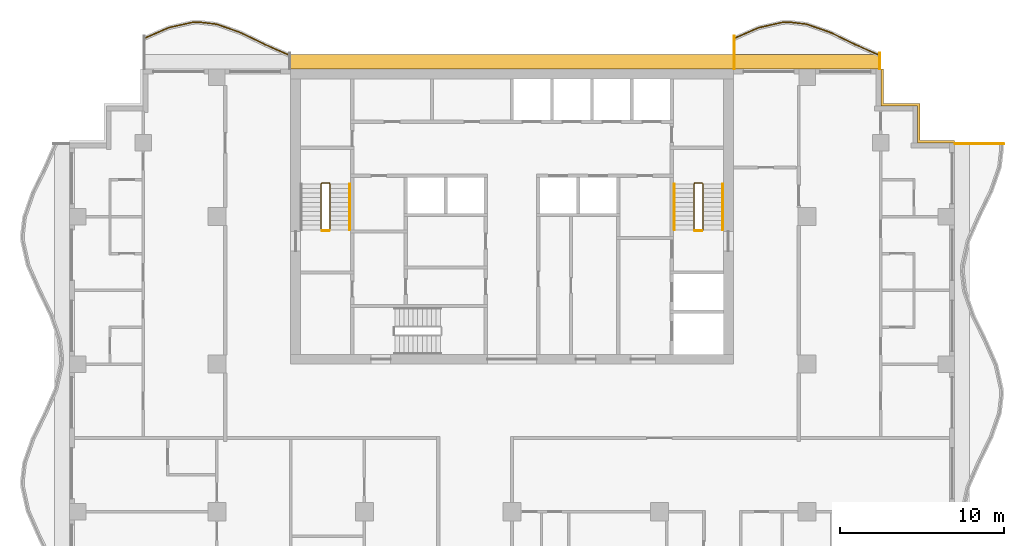
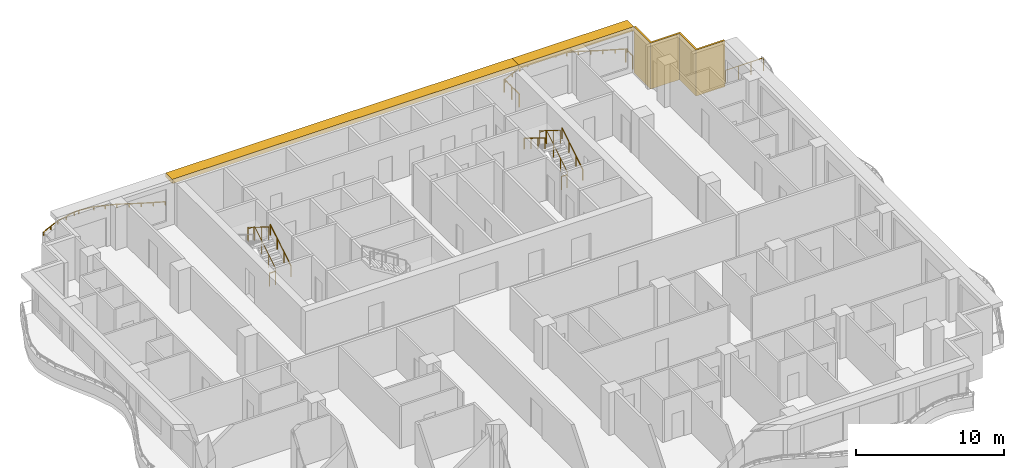
# One storey, part 12 of 12: 12 railings, 3 shading devices.
"""IFC4 building model written with IfcOpenShell, lengths in metres."""

from ifc_helpers import new_model, si_unit, direction, frame, origin, origin_2d, place, context, subcontext, project, spatial, polyline, rectangle, circle, outline, extrude, material, layer, layer_set, type_object, element, save


model = new_model("IFC4")

# Units and contexts
model_context = context("Model", 3, precision=1e-05, world=origin(), true_north=direction((0.0, 1.0)))
body_context = subcontext(model_context, "Body", "Model", "MODEL_VIEW")
ifc_project = project(units=[si_unit("LENGTHUNIT", "METRE"), si_unit("AREAUNIT", "SQUARE_METRE"), si_unit("VOLUMEUNIT", "CUBIC_METRE"), si_unit("PLANEANGLEUNIT", "RADIAN"), si_unit("MASSUNIT", "GRAM", prefix="KILO")], contexts=[model_context])

# Site, building, storey
site_placement = place(None, origin())
site = spatial("IfcSite", under=ifc_project, at=site_placement, CompositionType="ELEMENT")
building_placement = place(site_placement, origin())
building = spatial("IfcBuilding", under=site, at=building_placement, Name="Orbiselva Terraces", CompositionType="ELEMENT")
storey_placement = place(building_placement, frame((0.0, 0.0, 207.2)))
storey = spatial("IfcBuildingStorey", under=building, at=storey_placement, Name="L52", CompositionType="ELEMENT", Elevation=207.2)

# Railings
ifc_material_1 = material(Name="Stainless steel", Category="steel")
railing_type_1 = type_object("IfcRailingType", Name="CORE-GUARD-1100", PredefinedType="GUARDRAIL", material=ifc_material_1)
railing_1_placement = place(storey_placement, frame((-11.1, 12.7, 0.172727)))
element("IfcRailing", 1, at=railing_1_placement, inside=storey, type_object=railing_type_1, Name="L52 S1 stair guard 1", PredefinedType="GUARDRAIL", context=body_context, shape_type="SweptSolid", body=[
    extrude(circle(Radius=0.024, at=origin_2d()), frame((0.0, 0.0, 1.081), z_axis=(0.0, 0.851088519012, 0.52502222125), x_axis=(-1.0, 0.0, 0.0)), (0.0, 0.0, 1.0), 3.289905),
    extrude(circle(Radius=0.024, at=origin_2d()), frame((0.0, 2.8, 2.808273), z_axis=(-0.707106781187, 0.707106781187, 0.0), x_axis=(-0.707106781187, -0.707106781187, 0.0)), (0.0, 0.0, 1.0), 0.070711),
    extrude(circle(Radius=0.024, at=origin_2d()), frame((-0.05, 2.85, 2.808273), z_axis=(-1.0, 0.0, 0.0), x_axis=(0.0, -1.0, 0.0)), (0.0, 0.0, 1.0), 0.45),
    extrude(circle(Radius=0.024, at=origin_2d()), frame((-0.5, 2.85, 2.808273), z_axis=(-0.267894925557, -0.267894925557, 0.925453736133), x_axis=(0.707106781187, -0.707106781187, 0.0)), (0.0, 0.0, 1.0), 0.18664),
    extrude(circle(Radius=0.024, at=origin_2d()), frame((-0.55, 2.8, 2.981), z_axis=(0.0, -0.851088519012, 0.52502222125), x_axis=(1.0, 0.0, 0.0)), (0.0, 0.0, 1.0), 3.289905),
    extrude(circle(Radius=0.021, at=origin_2d()), origin(), (0.0, 0.0, 1.0), 1.057),
    extrude(circle(Radius=0.021, at=origin_2d()), frame((0.0, 0.933333, 0.575758)), (0.0, 0.0, 1.0), 1.057),
    extrude(circle(Radius=0.021, at=origin_2d()), frame((0.0, 1.866667, 1.151515)), (0.0, 0.0, 1.0), 1.057),
    extrude(circle(Radius=0.021, at=origin_2d()), frame((0.0, 2.8, 1.727273)), (0.0, 0.0, 1.0), 1.057),
    extrude(circle(Radius=0.021, at=origin_2d()), frame((-0.05, 2.85, 1.727273)), (0.0, 0.0, 1.0), 1.057),
    extrude(circle(Radius=0.021, at=origin_2d()), frame((-0.5, 2.85, 1.727273)), (0.0, 0.0, 1.0), 1.057),
    extrude(circle(Radius=0.021, at=origin_2d()), frame((-0.55, 2.8, 1.9)), (0.0, 0.0, 1.0), 1.057),
    extrude(circle(Radius=0.021, at=origin_2d()), frame((-0.55, 1.866667, 2.475758)), (0.0, 0.0, 1.0), 1.057),
    extrude(circle(Radius=0.021, at=origin_2d()), frame((-0.55, 0.933333, 3.051515)), (0.0, 0.0, 1.0), 1.057),
    extrude(circle(Radius=0.021, at=origin_2d()), frame((-0.55, 0.0, 3.627273)), (0.0, 0.0, 1.0), 1.057),
])
railing_2_placement = place(storey_placement, frame((-11.15, 12.65, 0.0)))
element("IfcRailing", 2, at=railing_2_placement, inside=storey, type_object=railing_type_1, Name="L52 S1 stair guard 2", PredefinedType="GUARDRAIL", context=body_context, shape_type="SweptSolid", body=[
    extrude(circle(Radius=0.024, at=origin_2d()), frame((0.0, 0.0, 1.081), z_axis=(-1.0, 0.0, 0.0), x_axis=(0.0, -1.0, 0.0)), (0.0, 0.0, 1.0), 0.45),
    extrude(circle(Radius=0.021, at=origin_2d()), origin(), (0.0, 0.0, 1.0), 1.057),
    extrude(circle(Radius=0.021, at=origin_2d()), frame((-0.45, 0.0, 0.0)), (0.0, 0.0, 1.0), 1.057),
])
railing_3_placement = place(storey_placement, frame((11.65, 12.7, 0.172727)))
element("IfcRailing", 3, at=railing_3_placement, inside=storey, type_object=railing_type_1, Name="L52 S2 stair guard 1", PredefinedType="GUARDRAIL", context=body_context, shape_type="SweptSolid", body=[
    extrude(circle(Radius=0.024, at=origin_2d()), frame((0.0, 0.0, 1.081), z_axis=(0.0, 0.851088519012, 0.52502222125), x_axis=(-1.0, 0.0, 0.0)), (0.0, 0.0, 1.0), 3.289905),
    extrude(circle(Radius=0.024, at=origin_2d()), frame((0.0, 2.8, 2.808273), z_axis=(-0.707106781187, 0.707106781187, 0.0), x_axis=(-0.707106781187, -0.707106781187, 0.0)), (0.0, 0.0, 1.0), 0.070711),
    extrude(circle(Radius=0.024, at=origin_2d()), frame((-0.05, 2.85, 2.808273), z_axis=(-1.0, 0.0, 0.0), x_axis=(0.0, -1.0, 0.0)), (0.0, 0.0, 1.0), 0.45),
    extrude(circle(Radius=0.024, at=origin_2d()), frame((-0.5, 2.85, 2.808273), z_axis=(-0.267894925557, -0.267894925557, 0.925453736133), x_axis=(0.707106781187, -0.707106781187, 0.0)), (0.0, 0.0, 1.0), 0.18664),
    extrude(circle(Radius=0.024, at=origin_2d()), frame((-0.55, 2.8, 2.981), z_axis=(0.0, -0.851088519012, 0.52502222125), x_axis=(1.0, 0.0, 0.0)), (0.0, 0.0, 1.0), 3.289905),
    extrude(circle(Radius=0.021, at=origin_2d()), origin(), (0.0, 0.0, 1.0), 1.057),
    extrude(circle(Radius=0.021, at=origin_2d()), frame((0.0, 0.933333, 0.575758)), (0.0, 0.0, 1.0), 1.057),
    extrude(circle(Radius=0.021, at=origin_2d()), frame((0.0, 1.866667, 1.151515)), (0.0, 0.0, 1.0), 1.057),
    extrude(circle(Radius=0.021, at=origin_2d()), frame((0.0, 2.8, 1.727273)), (0.0, 0.0, 1.0), 1.057),
    extrude(circle(Radius=0.021, at=origin_2d()), frame((-0.05, 2.85, 1.727273)), (0.0, 0.0, 1.0), 1.057),
    extrude(circle(Radius=0.021, at=origin_2d()), frame((-0.5, 2.85, 1.727273)), (0.0, 0.0, 1.0), 1.057),
    extrude(circle(Radius=0.021, at=origin_2d()), frame((-0.55, 2.8, 1.9)), (0.0, 0.0, 1.0), 1.057),
    extrude(circle(Radius=0.021, at=origin_2d()), frame((-0.55, 1.866667, 2.475758)), (0.0, 0.0, 1.0), 1.057),
    extrude(circle(Radius=0.021, at=origin_2d()), frame((-0.55, 0.933333, 3.051515)), (0.0, 0.0, 1.0), 1.057),
    extrude(circle(Radius=0.021, at=origin_2d()), frame((-0.55, 0.0, 3.627273)), (0.0, 0.0, 1.0), 1.057),
])
railing_4_placement = place(storey_placement, frame((11.6, 12.65, 0.0)))
element("IfcRailing", 4, at=railing_4_placement, inside=storey, type_object=railing_type_1, Name="L52 S2 stair guard 2", PredefinedType="GUARDRAIL", context=body_context, shape_type="SweptSolid", body=[
    extrude(circle(Radius=0.024, at=origin_2d()), frame((0.0, 0.0, 1.081), z_axis=(-1.0, 0.0, 0.0), x_axis=(0.0, -1.0, 0.0)), (0.0, 0.0, 1.0), 0.45),
    extrude(circle(Radius=0.021, at=origin_2d()), origin(), (0.0, 0.0, 1.0), 1.057),
    extrude(circle(Radius=0.021, at=origin_2d()), frame((-0.45, 0.0, 0.0)), (0.0, 0.0, 1.0), 1.057),
])
railing_type_2 = type_object("IfcRailingType", Name="CORE-HANDRAIL-900", PredefinedType="HANDRAIL", material=ifc_material_1)
for number, where, name in (
    (5, (-9.9, 12.7, 0.172727), "L52 S1 stair handrail 1"),
    (6, (12.85, 12.7, 0.172727), "L52 S2 stair handrail 1"),
):
    element("IfcRailing", number, at=place(storey_placement, frame(where)), inside=storey, type_object=railing_type_2, Name=name, PredefinedType="HANDRAIL", context=body_context, shape_type="SweptSolid", body=[
        extrude(circle(Radius=0.024, at=origin_2d()), frame((0.0, 0.0, 0.876), z_axis=(0.0, 0.851088519012, 0.52502222125), x_axis=(-1.0, 0.0, 0.0)), (0.0, 0.0, 1.0), 3.289905),
        extrude(circle(Radius=0.021, at=origin_2d()), origin(), (0.0, 0.0, 1.0), 0.852),
        extrude(circle(Radius=0.021, at=origin_2d()), frame((0.0, 0.933333, 0.575758)), (0.0, 0.0, 1.0), 0.852),
        extrude(circle(Radius=0.021, at=origin_2d()), frame((0.0, 1.866667, 1.151515)), (0.0, 0.0, 1.0), 0.852),
        extrude(circle(Radius=0.021, at=origin_2d()), frame((0.0, 2.8, 1.727273)), (0.0, 0.0, 1.0), 0.852),
    ])
railing_5_placement = place(storey_placement, frame((9.9, 15.5, 2.072727)))
element("IfcRailing", 7, at=railing_5_placement, inside=storey, type_object=railing_type_2, Name="L52 S2 stair handrail 2", PredefinedType="HANDRAIL", context=body_context, shape_type="SweptSolid", body=[
    extrude(circle(Radius=0.024, at=origin_2d()), frame((0.0, 0.0, 0.876), z_axis=(0.0, -0.851088519012, 0.52502222125), x_axis=(1.0, 0.0, 0.0)), (0.0, 0.0, 1.0), 3.289905),
    extrude(circle(Radius=0.021, at=origin_2d()), origin(), (0.0, 0.0, 1.0), 0.852),
    extrude(circle(Radius=0.021, at=origin_2d()), frame((0.0, -0.933333, 0.575758)), (0.0, 0.0, 1.0), 0.852),
    extrude(circle(Radius=0.021, at=origin_2d()), frame((0.0, -1.866667, 1.151515)), (0.0, 0.0, 1.0), 0.852),
    extrude(circle(Radius=0.021, at=origin_2d()), frame((0.0, -2.8, 1.727273)), (0.0, 0.0, 1.0), 0.852),
])
ifc_material_2 = material(Name="Bonded two-ply safety glass balustrade, stainless steel posts", Category="steel")
railing_type_3 = type_object("IfcRailingType", Name="ENV-BALUSTRADE-1200", PredefinedType="BALUSTRADE", material=ifc_material_2)
railing_6_placement = place(storey_placement, frame((22.449606, 23.33708, 0.9)))
element("IfcRailing", 8, at=railing_6_placement, inside=storey, type_object=railing_type_3, Name="Balcony balustrade L52 NE", PredefinedType="BALUSTRADE", context=body_context, shape_type="SweptSolid", body=[
    extrude(outline(polyline([(0.028868, 0.0), (0.014434, 0.025), (-0.014434, 0.025), (-0.028868, 0.0), (-0.014434, -0.025), (0.014434, -0.025), (0.028868, 0.0)])), frame((0.0, 0.0, 0.275), z_axis=(-0.915133394491, 0.403151175476, 0.0), x_axis=(-0.403151175476, -0.915133394491, 0.0)), (0.0, 0.0, 1.0), 1.641563),
    extrude(outline(polyline([(0.028868, 0.0), (0.014434, 0.025), (-0.014434, 0.025), (-0.028868, 0.0), (-0.014434, -0.025), (0.014434, -0.025), (0.028868, 0.0)])), frame((-1.502249, 0.661798, 0.275), z_axis=(-0.89857890432, 0.438811978768, 0.0), x_axis=(-0.438811978768, -0.89857890432, 0.0)), (0.0, 0.0, 1.0), 1.66438),
    extrude(outline(polyline([(0.028868, 0.0), (0.014434, 0.025), (-0.014434, 0.025), (-0.028868, 0.0), (-0.014434, -0.025), (0.014434, -0.025), (0.028868, 0.0)])), frame((-2.997826, 1.392148, 0.275), z_axis=(-0.943972277814, 0.330024754707, 0.0), x_axis=(-0.330024754707, -0.943972277814, 0.0)), (0.0, 0.0, 1.0), 1.567807),
    extrude(outline(polyline([(0.028868, 0.0), (0.014434, 0.025), (-0.014434, 0.025), (-0.028868, 0.0), (-0.014434, -0.025), (0.014434, -0.025), (0.028868, 0.0)])), frame((-4.477792, 1.909563, 0.275), z_axis=(-0.993309658409, 0.115481264762, 0.0), x_axis=(-0.115481264762, -0.993309658409, 0.0)), (0.0, 0.0, 1.0), 1.10902),
    extrude(outline(polyline([(0.028868, 0.0), (0.014434, 0.025), (-0.014434, 0.025), (-0.028868, 0.0), (-0.014434, -0.025), (0.014434, -0.025), (0.028868, 0.0)])), frame((-5.579392, 2.037634, 0.275), z_axis=(-0.999224931454, -0.039364150694, 0.0), x_axis=(0.039364150694, -0.999224931454, 0.0)), (0.0, 0.0, 1.0), 0.354206),
    extrude(outline(polyline([(0.028868, 0.0), (0.014434, 0.025), (-0.014434, 0.025), (-0.028868, 0.0), (-0.014434, -0.025), (0.014434, -0.025), (0.028868, 0.0)])), frame((-5.933323, 2.023691, 0.275), z_axis=(-0.975721325753, -0.219015740235, 0.0), x_axis=(0.219015740235, -0.975721325753, 0.0)), (0.0, 0.0, 1.0), 1.513782),
    extrude(outline(polyline([(0.028868, 0.0), (0.014434, 0.025), (-0.014434, 0.025), (-0.028868, 0.0), (-0.014434, -0.025), (0.014434, -0.025), (0.028868, 0.0)])), frame((-7.410352, 1.692149, 0.275), z_axis=(-0.915133311645, -0.403151363532, 0.0), x_axis=(0.403151363532, -0.915133311645, 0.0)), (0.0, 0.0, 1.0), 1.626932),
    extrude(rectangle(XDim=0.05, YDim=0.05, at=origin_2d()), origin(), (0.0, 0.0, 1.0), 0.25),
    extrude(rectangle(XDim=0.05, YDim=0.05, at=origin_2d()), frame((-0.751124, 0.330899, 0.0)), (0.0, 0.0, 1.0), 0.25),
    extrude(rectangle(XDim=0.05, YDim=0.05, at=origin_2d()), frame((-1.502249, 0.661798, 0.0)), (0.0, 0.0, 1.0), 0.25),
    extrude(rectangle(XDim=0.05, YDim=0.05, at=origin_2d()), frame((-2.250037, 1.026973, 0.0)), (0.0, 0.0, 1.0), 0.25),
    extrude(rectangle(XDim=0.05, YDim=0.05, at=origin_2d()), frame((-2.997826, 1.392148, 0.0)), (0.0, 0.0, 1.0), 0.25),
    extrude(rectangle(XDim=0.05, YDim=0.05, at=origin_2d()), frame((-3.737809, 1.650855, 0.0)), (0.0, 0.0, 1.0), 0.25),
    extrude(rectangle(XDim=0.05, YDim=0.05, at=origin_2d()), frame((-4.477792, 1.909563, 0.0)), (0.0, 0.0, 1.0), 0.25),
    extrude(rectangle(XDim=0.05, YDim=0.05, at=origin_2d()), frame((-5.579392, 2.037634, 0.0)), (0.0, 0.0, 1.0), 0.25),
    extrude(rectangle(XDim=0.05, YDim=0.05, at=origin_2d()), frame((-5.933323, 2.023691, 0.0)), (0.0, 0.0, 1.0), 0.25),
    extrude(rectangle(XDim=0.05, YDim=0.05, at=origin_2d()), frame((-6.671837, 1.85792, 0.0)), (0.0, 0.0, 1.0), 0.25),
    extrude(rectangle(XDim=0.05, YDim=0.05, at=origin_2d()), frame((-7.410352, 1.692149, 0.0)), (0.0, 0.0, 1.0), 0.25),
    extrude(rectangle(XDim=0.05, YDim=0.05, at=origin_2d()), frame((-8.154782, 1.364199, 0.0)), (0.0, 0.0, 1.0), 0.25),
    extrude(rectangle(XDim=0.05, YDim=0.05, at=origin_2d()), frame((-8.899212, 1.036249, 0.0)), (0.0, 0.0, 1.0), 0.25),
])
railing_7_placement = place(storey_placement, frame((-13.550394, 23.33708, 0.9)))
element("IfcRailing", 9, at=railing_7_placement, inside=storey, type_object=railing_type_3, Name="Balcony balustrade L52 NW", PredefinedType="BALUSTRADE", context=body_context, shape_type="SweptSolid", body=[
    extrude(outline(polyline([(0.028868, 0.0), (0.014434, 0.025), (-0.014434, 0.025), (-0.028868, 0.0), (-0.014434, -0.025), (0.014434, -0.025), (0.028868, 0.0)])), frame((0.0, 0.0, 0.275), z_axis=(-0.915133394491, 0.403151175476, 0.0), x_axis=(-0.403151175476, -0.915133394491, 0.0)), (0.0, 0.0, 1.0), 1.641563),
    extrude(outline(polyline([(0.028868, 0.0), (0.014434, 0.025), (-0.014434, 0.025), (-0.028868, 0.0), (-0.014434, -0.025), (0.014434, -0.025), (0.028868, 0.0)])), frame((-1.502249, 0.661798, 0.275), z_axis=(-0.89857890432, 0.438811978768, 0.0), x_axis=(-0.438811978768, -0.89857890432, 0.0)), (0.0, 0.0, 1.0), 1.66438),
    extrude(outline(polyline([(0.028868, 0.0), (0.014434, 0.025), (-0.014434, 0.025), (-0.028868, 0.0), (-0.014434, -0.025), (0.014434, -0.025), (0.028868, 0.0)])), frame((-2.997826, 1.392148, 0.275), z_axis=(-0.943972277814, 0.330024754707, 0.0), x_axis=(-0.330024754707, -0.943972277814, 0.0)), (0.0, 0.0, 1.0), 1.567807),
    extrude(outline(polyline([(0.028868, 0.0), (0.014434, 0.025), (-0.014434, 0.025), (-0.028868, 0.0), (-0.014434, -0.025), (0.014434, -0.025), (0.028868, 0.0)])), frame((-4.477792, 1.909563, 0.275), z_axis=(-0.993309658409, 0.115481264762, 0.0), x_axis=(-0.115481264762, -0.993309658409, 0.0)), (0.0, 0.0, 1.0), 1.10902),
    extrude(outline(polyline([(0.028868, 0.0), (0.014434, 0.025), (-0.014434, 0.025), (-0.028868, 0.0), (-0.014434, -0.025), (0.014434, -0.025), (0.028868, 0.0)])), frame((-5.579392, 2.037634, 0.275), z_axis=(-0.999224931454, -0.039364150694, 0.0), x_axis=(0.039364150694, -0.999224931454, 0.0)), (0.0, 0.0, 1.0), 0.354206),
    extrude(outline(polyline([(0.028868, 0.0), (0.014434, 0.025), (-0.014434, 0.025), (-0.028868, 0.0), (-0.014434, -0.025), (0.014434, -0.025), (0.028868, 0.0)])), frame((-5.933323, 2.023691, 0.275), z_axis=(-0.975721325753, -0.219015740235, 0.0), x_axis=(0.219015740235, -0.975721325753, 0.0)), (0.0, 0.0, 1.0), 1.513782),
    extrude(outline(polyline([(0.028868, 0.0), (0.014434, 0.025), (-0.014434, 0.025), (-0.028868, 0.0), (-0.014434, -0.025), (0.014434, -0.025), (0.028868, 0.0)])), frame((-7.410352, 1.692149, 0.275), z_axis=(-0.915133311645, -0.403151363532, 0.0), x_axis=(0.403151363532, -0.915133311645, 0.0)), (0.0, 0.0, 1.0), 1.626932),
    extrude(rectangle(XDim=0.05, YDim=0.05, at=origin_2d()), origin(), (0.0, 0.0, 1.0), 0.25),
    extrude(rectangle(XDim=0.05, YDim=0.05, at=origin_2d()), frame((-0.751124, 0.330899, 0.0)), (0.0, 0.0, 1.0), 0.25),
    extrude(rectangle(XDim=0.05, YDim=0.05, at=origin_2d()), frame((-1.502249, 0.661798, 0.0)), (0.0, 0.0, 1.0), 0.25),
    extrude(rectangle(XDim=0.05, YDim=0.05, at=origin_2d()), frame((-2.250037, 1.026973, 0.0)), (0.0, 0.0, 1.0), 0.25),
    extrude(rectangle(XDim=0.05, YDim=0.05, at=origin_2d()), frame((-2.997826, 1.392148, 0.0)), (0.0, 0.0, 1.0), 0.25),
    extrude(rectangle(XDim=0.05, YDim=0.05, at=origin_2d()), frame((-3.737809, 1.650855, 0.0)), (0.0, 0.0, 1.0), 0.25),
    extrude(rectangle(XDim=0.05, YDim=0.05, at=origin_2d()), frame((-4.477792, 1.909563, 0.0)), (0.0, 0.0, 1.0), 0.25),
    extrude(rectangle(XDim=0.05, YDim=0.05, at=origin_2d()), frame((-5.579392, 2.037634, 0.0)), (0.0, 0.0, 1.0), 0.25),
    extrude(rectangle(XDim=0.05, YDim=0.05, at=origin_2d()), frame((-5.933323, 2.023691, 0.0)), (0.0, 0.0, 1.0), 0.25),
    extrude(rectangle(XDim=0.05, YDim=0.05, at=origin_2d()), frame((-6.671837, 1.85792, 0.0)), (0.0, 0.0, 1.0), 0.25),
    extrude(rectangle(XDim=0.05, YDim=0.05, at=origin_2d()), frame((-7.410352, 1.692149, 0.0)), (0.0, 0.0, 1.0), 0.25),
    extrude(rectangle(XDim=0.05, YDim=0.05, at=origin_2d()), frame((-8.154782, 1.364199, 0.0)), (0.0, 0.0, 1.0), 0.25),
    extrude(rectangle(XDim=0.05, YDim=0.05, at=origin_2d()), frame((-8.899212, 1.036249, 0.0)), (0.0, 0.0, 1.0), 0.25),
])
ifc_material_3 = material(Name="Stainless steel rail and posts", Category="steel")
railing_type_4 = type_object("IfcRailingType", Name="ENV-GUARD-1105", PredefinedType="BALUSTRADE", material=ifc_material_3)
railing_8_placement = place(storey_placement, frame((29.989569, 17.94, 0.0)))
element("IfcRailing", 10, at=railing_8_placement, inside=storey, type_object=railing_type_4, Name="Balcony end guard L52 E", PredefinedType="BALUSTRADE", context=body_context, shape_type="SweptSolid", body=[
    extrude(outline(polyline([(0.028868, 0.0), (0.014434, 0.025), (-0.014434, 0.025), (-0.028868, 0.0), (-0.014434, -0.025), (0.014434, -0.025), (0.028868, 0.0)])), frame((0.0, 0.0, 1.08), z_axis=(-1.0, 0.0, 0.0), x_axis=(0.0, -1.0, 0.0)), (0.0, 0.0, 1.0), 2.964569),
    extrude(rectangle(XDim=0.05, YDim=0.05, at=origin_2d()), origin(), (0.0, 0.0, 1.0), 1.055),
    extrude(rectangle(XDim=0.05, YDim=0.05, at=origin_2d()), frame((-0.98819, 0.0, 0.0)), (0.0, 0.0, 1.0), 1.055),
    extrude(rectangle(XDim=0.05, YDim=0.05, at=origin_2d()), frame((-1.976379, 0.0, 0.0)), (0.0, 0.0, 1.0), 1.055),
    extrude(rectangle(XDim=0.05, YDim=0.05, at=origin_2d()), frame((-2.964569, 0.0, 0.0)), (0.0, 0.0, 1.0), 1.055),
])
railing_9_placement = place(storey_placement, frame((22.44, 23.473063, 0.0)))
element("IfcRailing", 11, at=railing_9_placement, inside=storey, type_object=railing_type_4, Name="Balcony end guard L52 NE", PredefinedType="BALUSTRADE", context=body_context, shape_type="SweptSolid", body=[
    extrude(outline(polyline([(0.028868, 0.0), (0.014434, 0.025), (-0.014434, 0.025), (-0.028868, 0.0), (-0.014434, -0.025), (0.014434, -0.025), (0.028868, 0.0)])), frame((0.0, 0.0, 1.08), z_axis=(0.0, -1.0, 0.0), x_axis=(1.0, 0.0, 0.0)), (0.0, 0.0, 1.0), 0.948063),
    extrude(rectangle(XDim=0.05, YDim=0.05, at=origin_2d()), origin(), (0.0, 0.0, 1.0), 1.055),
    extrude(rectangle(XDim=0.05, YDim=0.05, at=origin_2d()), frame((0.0, -0.948063, 0.0)), (0.0, 0.0, 1.0), 1.055),
])
railing_10_placement = place(storey_placement, frame((13.56, 24.517447, 0.0)))
element("IfcRailing", 12, at=railing_10_placement, inside=storey, type_object=railing_type_4, Name="Balcony end guard L52 NE", PredefinedType="BALUSTRADE", context=body_context, shape_type="SweptSolid", body=[
    extrude(outline(polyline([(0.028868, 0.0), (0.014434, 0.025), (-0.014434, 0.025), (-0.028868, 0.0), (-0.014434, -0.025), (0.014434, -0.025), (0.028868, 0.0)])), frame((0.0, 0.0, 1.08), z_axis=(0.0, -1.0, 0.0), x_axis=(1.0, 0.0, 0.0)), (0.0, 0.0, 1.0), 1.992447),
    extrude(rectangle(XDim=0.05, YDim=0.05, at=origin_2d()), origin(), (0.0, 0.0, 1.0), 1.055),
    extrude(rectangle(XDim=0.05, YDim=0.05, at=origin_2d()), frame((0.0, -0.996224, 0.0)), (0.0, 0.0, 1.0), 1.055),
    extrude(rectangle(XDim=0.05, YDim=0.05, at=origin_2d()), frame((0.0, -1.992447, 0.0)), (0.0, 0.0, 1.0), 1.055),
])

# Shading devices
ifc_material_4 = material(Name="Terracotta louvre screen", Category="masonry")
ifc_layer_1 = layer(ifc_material_4, 0.15)
ifc_layer_set_1 = layer_set([ifc_layer_1], Name="Terracotta louvre screen")
shading_device_type_1 = type_object("IfcShadingDeviceType", Name="ENV-SCREEN-150", PredefinedType="USERDEFINED", material=ifc_layer_set_1)
shading_device_1_placement = place(storey_placement, frame((0.0, 0.0, -0.3)))
element("IfcShadingDevice", 13, at=shading_device_1_placement, inside=storey, type_object=shading_device_type_1, Name="Louvre screen L52 NE", ObjectType="SCREEN", PredefinedType="USERDEFINED", context=body_context, shape_type="SweptSolid", body=[
    extrude(outline(polyline([(27.0, 18.15), (24.9, 18.15), (24.9, 20.4), (22.65, 20.4), (22.65, 22.5), (22.5, 22.5), (22.5, 20.25), (24.75, 20.25), (24.75, 18.0), (27.0, 18.0), (27.0, 18.15)])), origin(), (0.0, 0.0, 1.0), 3.8),
])
ifc_material_5 = material(Name="Terracotta baguette sunshade", Category="masonry")
ifc_layer_2 = layer(ifc_material_5, 0.35)
ifc_layer_set_2 = layer_set([ifc_layer_2], Name="Terracotta baguette sunshade")
shading_device_type_2 = type_object("IfcShadingDeviceType", Name="ENV-SUNSHADE-900x350", PredefinedType="USERDEFINED", material=ifc_layer_set_2)
shading_device_2_placement = place(storey_placement, frame((0.0, 0.0, 3.15)))
element("IfcShadingDevice", 14, at=shading_device_2_placement, inside=storey, type_object=shading_device_type_2, Name="Sunshade band L52 NE", ObjectType="SUNSHADE", PredefinedType="USERDEFINED", context=body_context, shape_type="SweptSolid", body=[
    extrude(outline(polyline([(22.5, 23.4), (13.5, 23.4), (13.5, 22.5), (22.5, 22.5), (22.5, 23.4)])), origin(), (0.0, 0.0, 1.0), 0.35),
])
shading_device_3_placement = place(storey_placement, frame((0.0, 0.0, 3.15)))
element("IfcShadingDevice", 15, at=shading_device_3_placement, inside=storey, type_object=shading_device_type_2, Name="Sunshade band L52 CORE NORTH", ObjectType="SUNSHADE", PredefinedType="USERDEFINED", context=body_context, shape_type="SweptSolid", body=[
    extrude(outline(polyline([(13.5, 23.4), (-13.5, 23.4), (-13.5, 22.5), (13.5, 22.5), (13.5, 23.4)])), origin(), (0.0, 0.0, 1.0), 0.35),
])

save(model, "model.ifc")
